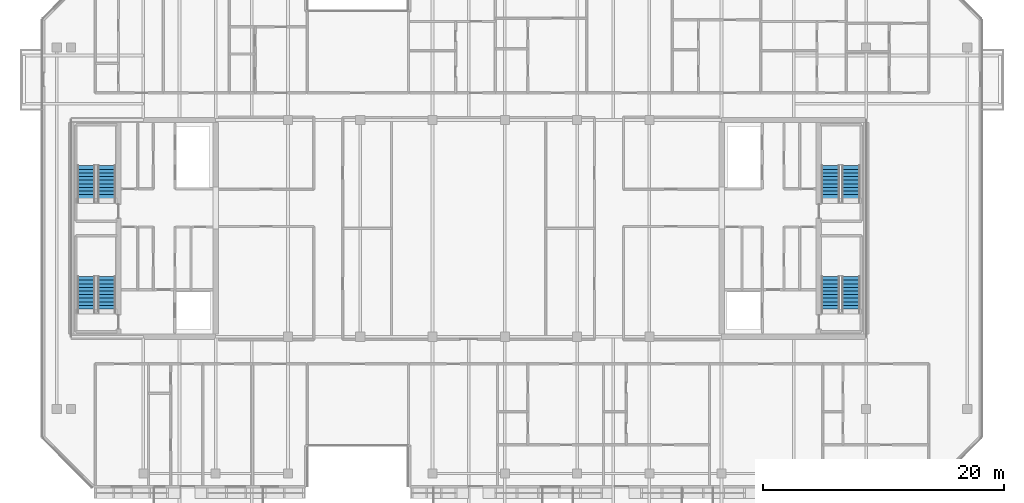
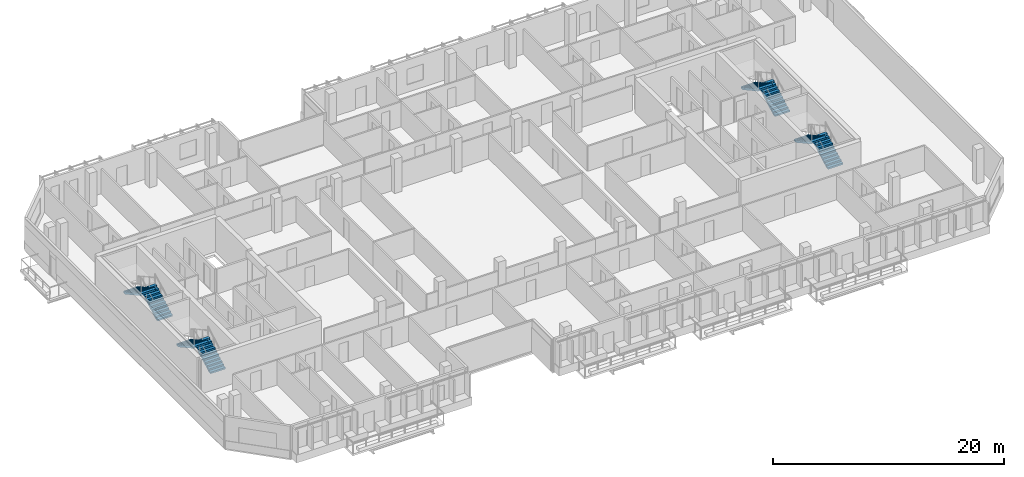
# One storey, part 17 of 23: 8 stair flights, 4 elements without a shape of their own.
"""IFC4 building model written with IfcOpenShell, lengths in metres."""

from ifc_helpers import new_model, si_unit, direction, frame, origin, place, context, subcontext, project, spatial, polyline, outline, extrude, material, type_object, element, aggregate, save


model = new_model("IFC4")

# Units and contexts
model_context = context("Model", 3, precision=1e-05, world=origin(), true_north=direction((0.0, 1.0)))
body_context = subcontext(model_context, "Body", "Model", "MODEL_VIEW")
ifc_project = project(units=[si_unit("LENGTHUNIT", "METRE"), si_unit("AREAUNIT", "SQUARE_METRE"), si_unit("VOLUMEUNIT", "CUBIC_METRE"), si_unit("PLANEANGLEUNIT", "RADIAN"), si_unit("MASSUNIT", "GRAM", prefix="KILO")], contexts=[model_context])

# Site, building, storey
site_placement = place(None, origin())
site = spatial("IfcSite", under=ifc_project, at=site_placement, CompositionType="ELEMENT")
building_placement = place(site_placement, origin())
building = spatial("IfcBuilding", under=site, at=building_placement, Name="Tanjung Sevakor Pilgrim Tower", CompositionType="ELEMENT")
storey_placement = place(building_placement, frame((0.0, 0.0, 215.489990234375)))
storey = spatial("IfcBuildingStorey", under=building, at=storey_placement, Name="L60", CompositionType="ELEMENT", Elevation=215.489990234375)

# Stair, stair flights
ifc_material_1 = material(Name="Concrete C40/50", Category="concrete")
stair_type = type_object("IfcStairType", Name="STAIR-ST-CR150", PredefinedType="HALF_TURN_STAIR", material=ifc_material_1)
stair_1_placement = place(storey_placement, origin())
stair_1 = element("IfcStair", 1, at=stair_1_placement, inside=storey, type_object=stair_type, Name="L60 West Core Exit Stair 1", PredefinedType="HALF_TURN_STAIR")
ifc_material_2 = material(Name="Concrete C40/50", Category="concrete")
stair_flight_type = type_object("IfcStairFlightType", Name="FLIGHT-ST-CR150", PredefinedType="STRAIGHT", material=ifc_material_2)
stair_flight_1_placement = place(storey_placement, frame((26.949951171875, 26.60009765625, 0.0), z_axis=(0.0, 0.0, 1.0), x_axis=(0.0, 1.0, 0.0)))
stair_flight_1 = element("IfcStairFlight", 2, at=stair_flight_1_placement, type_object=stair_flight_type, Name="TS-W1 flight 1", NumberOfRisers=11, NumberOfTreads=10, PredefinedType="STRAIGHT", RiserHeight=0.165, TreadLength=0.3, context=body_context, shape_type="SweptSolid", body=[
    extrude(outline(polyline([(0.0, 0.0), (0.0, 0.1650390625), (0.300048828125, 0.1650390625), (0.300048828125, 0.330078125), (0.60009765625, 0.330078125), (0.60009765625, 0.4951171875), (0.89990234375, 0.4951171875), (0.89990234375, 0.659912109375), (1.199951171875, 0.659912109375), (1.199951171875, 0.824951171875), (1.5, 0.824951171875), (1.5, 0.989990234375), (1.800048828125, 0.989990234375), (1.800048828125, 1.155029296875), (2.10009765625, 1.155029296875), (2.10009765625, 1.320068359375), (2.39990234375, 1.320068359375), (2.39990234375, 1.485107421875), (2.699951171875, 1.485107421875), (2.699951171875, 1.64990234375), (3.0, 1.64990234375), (3.0, 1.81494140625), (3.0, 1.467529296875), (0.331787109375, 0.0), (0.0, 0.0)])), frame((0.0, 0.75, 0.0), z_axis=(0.0, -1.0, 0.0), x_axis=(1.0, 0.0, 0.0)), (0.0, 0.0, 1.0), 1.5),
])
stair_flight_2_placement = place(storey_placement, frame((25.25, 29.60009765625, 1.81494140625), z_axis=(0.0, 0.0, 1.0), x_axis=(0.0, -1.0, 0.0)))
stair_flight_2 = element("IfcStairFlight", 3, at=stair_flight_2_placement, type_object=stair_flight_type, Name="TS-W1 flight 2", NumberOfRisers=11, NumberOfTreads=10, PredefinedType="STRAIGHT", RiserHeight=0.165, TreadLength=0.3, context=body_context, shape_type="SweptSolid", body=[
    extrude(outline(polyline([(0.0, 0.0), (0.0, 0.1650390625), (0.300048828125, 0.1650390625), (0.300048828125, 0.330078125), (0.60009765625, 0.330078125), (0.60009765625, 0.4951171875), (0.89990234375, 0.4951171875), (0.89990234375, 0.659912109375), (1.199951171875, 0.659912109375), (1.199951171875, 0.824951171875), (1.5, 0.824951171875), (1.5, 0.989990234375), (1.800048828125, 0.989990234375), (1.800048828125, 1.155029296875), (2.10009765625, 1.155029296875), (2.10009765625, 1.320068359375), (2.39990234375, 1.320068359375), (2.39990234375, 1.485107421875), (2.699951171875, 1.485107421875), (2.699951171875, 1.64990234375), (3.0, 1.64990234375), (3.0, 1.81494140625), (3.0, 1.467529296875), (0.331787109375, 0.0), (0.0, 0.0)])), frame((0.0, 0.75, 0.0), z_axis=(0.0, -1.0, 0.0), x_axis=(1.0, 0.0, 0.0)), (0.0, 0.0, 1.0), 1.5),
])
aggregate(stair_1, [stair_flight_1, stair_flight_2])

stair_2_placement = place(storey_placement, origin())
stair_2 = element("IfcStair", 4, at=stair_2_placement, inside=storey, type_object=stair_type, Name="L60 West Core Exit Stair 2", PredefinedType="HALF_TURN_STAIR")
stair_flight_3_placement = place(storey_placement, frame((26.949951171875, 35.800048828125, 0.0), z_axis=(0.0, 0.0, 1.0), x_axis=(0.0, 1.0, 0.0)))
stair_flight_3 = element("IfcStairFlight", 5, at=stair_flight_3_placement, type_object=stair_flight_type, Name="TS-W2 flight 1", NumberOfRisers=11, NumberOfTreads=10, PredefinedType="STRAIGHT", RiserHeight=0.165, TreadLength=0.3, context=body_context, shape_type="SweptSolid", body=[
    extrude(outline(polyline([(0.0, 0.0), (0.0, 0.1650390625), (0.300048828125, 0.1650390625), (0.300048828125, 0.330078125), (0.60009765625, 0.330078125), (0.60009765625, 0.4951171875), (0.89990234375, 0.4951171875), (0.89990234375, 0.659912109375), (1.199951171875, 0.659912109375), (1.199951171875, 0.824951171875), (1.5, 0.824951171875), (1.5, 0.989990234375), (1.800048828125, 0.989990234375), (1.800048828125, 1.155029296875), (2.10009765625, 1.155029296875), (2.10009765625, 1.320068359375), (2.39990234375, 1.320068359375), (2.39990234375, 1.485107421875), (2.699951171875, 1.485107421875), (2.699951171875, 1.64990234375), (3.0, 1.64990234375), (3.0, 1.81494140625), (3.0, 1.467529296875), (0.331787109375, 0.0), (0.0, 0.0)])), frame((0.0, 0.75, 0.0), z_axis=(0.0, -1.0, 0.0), x_axis=(1.0, 0.0, 0.0)), (0.0, 0.0, 1.0), 1.5),
])
stair_flight_4_placement = place(storey_placement, frame((25.25, 38.800048828125, 1.81494140625), z_axis=(0.0, 0.0, 1.0), x_axis=(0.0, -1.0, 0.0)))
stair_flight_4 = element("IfcStairFlight", 6, at=stair_flight_4_placement, type_object=stair_flight_type, Name="TS-W2 flight 2", NumberOfRisers=11, NumberOfTreads=10, PredefinedType="STRAIGHT", RiserHeight=0.165, TreadLength=0.3, context=body_context, shape_type="SweptSolid", body=[
    extrude(outline(polyline([(0.0, 0.0), (0.0, 0.1650390625), (0.300048828125, 0.1650390625), (0.300048828125, 0.330078125), (0.60009765625, 0.330078125), (0.60009765625, 0.4951171875), (0.89990234375, 0.4951171875), (0.89990234375, 0.659912109375), (1.199951171875, 0.659912109375), (1.199951171875, 0.824951171875), (1.5, 0.824951171875), (1.5, 0.989990234375), (1.800048828125, 0.989990234375), (1.800048828125, 1.155029296875), (2.10009765625, 1.155029296875), (2.10009765625, 1.320068359375), (2.39990234375, 1.320068359375), (2.39990234375, 1.485107421875), (2.699951171875, 1.485107421875), (2.699951171875, 1.64990234375), (3.0, 1.64990234375), (3.0, 1.81494140625), (3.0, 1.467529296875), (0.331787109375, 0.0), (0.0, 0.0)])), frame((0.0, 0.75, 0.0), z_axis=(0.0, -1.0, 0.0), x_axis=(1.0, 0.0, 0.0)), (0.0, 0.0, 1.0), 1.5),
])
aggregate(stair_2, [stair_flight_3, stair_flight_4])

stair_3_placement = place(storey_placement, origin())
stair_3 = element("IfcStair", 7, at=stair_3_placement, inside=storey, type_object=stair_type, Name="L60 East Core Exit Stair 1", PredefinedType="HALF_TURN_STAIR")
stair_flight_5_placement = place(storey_placement, frame((88.75, 26.60009765625, 0.0), z_axis=(0.0, 0.0, 1.0), x_axis=(0.0, 1.0, 0.0)))
stair_flight_5 = element("IfcStairFlight", 8, at=stair_flight_5_placement, type_object=stair_flight_type, Name="TS-E1 flight 1", NumberOfRisers=11, NumberOfTreads=10, PredefinedType="STRAIGHT", RiserHeight=0.165, TreadLength=0.3, context=body_context, shape_type="SweptSolid", body=[
    extrude(outline(polyline([(0.0, 0.0), (0.0, 0.1650390625), (0.300048828125, 0.1650390625), (0.300048828125, 0.330078125), (0.60009765625, 0.330078125), (0.60009765625, 0.4951171875), (0.89990234375, 0.4951171875), (0.89990234375, 0.659912109375), (1.199951171875, 0.659912109375), (1.199951171875, 0.824951171875), (1.5, 0.824951171875), (1.5, 0.989990234375), (1.800048828125, 0.989990234375), (1.800048828125, 1.155029296875), (2.10009765625, 1.155029296875), (2.10009765625, 1.320068359375), (2.39990234375, 1.320068359375), (2.39990234375, 1.485107421875), (2.699951171875, 1.485107421875), (2.699951171875, 1.64990234375), (3.0, 1.64990234375), (3.0, 1.81494140625), (3.0, 1.467529296875), (0.331787109375, 0.0), (0.0, 0.0)])), frame((0.0, 0.75, 0.0), z_axis=(0.0, -1.0, 0.0), x_axis=(1.0, 0.0, 0.0)), (0.0, 0.0, 1.0), 1.5),
])
stair_flight_6_placement = place(storey_placement, frame((87.050048828125, 29.60009765625, 1.81494140625), z_axis=(0.0, 0.0, 1.0), x_axis=(0.0, -1.0, 0.0)))
stair_flight_6 = element("IfcStairFlight", 9, at=stair_flight_6_placement, type_object=stair_flight_type, Name="TS-E1 flight 2", NumberOfRisers=11, NumberOfTreads=10, PredefinedType="STRAIGHT", RiserHeight=0.165, TreadLength=0.3, context=body_context, shape_type="SweptSolid", body=[
    extrude(outline(polyline([(0.0, 0.0), (0.0, 0.1650390625), (0.300048828125, 0.1650390625), (0.300048828125, 0.330078125), (0.60009765625, 0.330078125), (0.60009765625, 0.4951171875), (0.89990234375, 0.4951171875), (0.89990234375, 0.659912109375), (1.199951171875, 0.659912109375), (1.199951171875, 0.824951171875), (1.5, 0.824951171875), (1.5, 0.989990234375), (1.800048828125, 0.989990234375), (1.800048828125, 1.155029296875), (2.10009765625, 1.155029296875), (2.10009765625, 1.320068359375), (2.39990234375, 1.320068359375), (2.39990234375, 1.485107421875), (2.699951171875, 1.485107421875), (2.699951171875, 1.64990234375), (3.0, 1.64990234375), (3.0, 1.81494140625), (3.0, 1.467529296875), (0.331787109375, 0.0), (0.0, 0.0)])), frame((0.0, 0.75, 0.0), z_axis=(0.0, -1.0, 0.0), x_axis=(1.0, 0.0, 0.0)), (0.0, 0.0, 1.0), 1.5),
])
aggregate(stair_3, [stair_flight_5, stair_flight_6])

stair_4_placement = place(storey_placement, origin())
stair_4 = element("IfcStair", 10, at=stair_4_placement, inside=storey, type_object=stair_type, Name="L60 East Core Exit Stair 2", PredefinedType="HALF_TURN_STAIR")
stair_flight_7_placement = place(storey_placement, frame((88.75, 35.800048828125, 0.0), z_axis=(0.0, 0.0, 1.0), x_axis=(0.0, 1.0, 0.0)))
stair_flight_7 = element("IfcStairFlight", 11, at=stair_flight_7_placement, type_object=stair_flight_type, Name="TS-E2 flight 1", NumberOfRisers=11, NumberOfTreads=10, PredefinedType="STRAIGHT", RiserHeight=0.165, TreadLength=0.3, context=body_context, shape_type="SweptSolid", body=[
    extrude(outline(polyline([(0.0, 0.0), (0.0, 0.1650390625), (0.300048828125, 0.1650390625), (0.300048828125, 0.330078125), (0.60009765625, 0.330078125), (0.60009765625, 0.4951171875), (0.89990234375, 0.4951171875), (0.89990234375, 0.659912109375), (1.199951171875, 0.659912109375), (1.199951171875, 0.824951171875), (1.5, 0.824951171875), (1.5, 0.989990234375), (1.800048828125, 0.989990234375), (1.800048828125, 1.155029296875), (2.10009765625, 1.155029296875), (2.10009765625, 1.320068359375), (2.39990234375, 1.320068359375), (2.39990234375, 1.485107421875), (2.699951171875, 1.485107421875), (2.699951171875, 1.64990234375), (3.0, 1.64990234375), (3.0, 1.81494140625), (3.0, 1.467529296875), (0.331787109375, 0.0), (0.0, 0.0)])), frame((0.0, 0.75, 0.0), z_axis=(0.0, -1.0, 0.0), x_axis=(1.0, 0.0, 0.0)), (0.0, 0.0, 1.0), 1.5),
])
stair_flight_8_placement = place(storey_placement, frame((87.050048828125, 38.800048828125, 1.81494140625), z_axis=(0.0, 0.0, 1.0), x_axis=(0.0, -1.0, 0.0)))
stair_flight_8 = element("IfcStairFlight", 12, at=stair_flight_8_placement, type_object=stair_flight_type, Name="TS-E2 flight 2", NumberOfRisers=11, NumberOfTreads=10, PredefinedType="STRAIGHT", RiserHeight=0.165, TreadLength=0.3, context=body_context, shape_type="SweptSolid", body=[
    extrude(outline(polyline([(0.0, 0.0), (0.0, 0.1650390625), (0.300048828125, 0.1650390625), (0.300048828125, 0.330078125), (0.60009765625, 0.330078125), (0.60009765625, 0.4951171875), (0.89990234375, 0.4951171875), (0.89990234375, 0.659912109375), (1.199951171875, 0.659912109375), (1.199951171875, 0.824951171875), (1.5, 0.824951171875), (1.5, 0.989990234375), (1.800048828125, 0.989990234375), (1.800048828125, 1.155029296875), (2.10009765625, 1.155029296875), (2.10009765625, 1.320068359375), (2.39990234375, 1.320068359375), (2.39990234375, 1.485107421875), (2.699951171875, 1.485107421875), (2.699951171875, 1.64990234375), (3.0, 1.64990234375), (3.0, 1.81494140625), (3.0, 1.467529296875), (0.331787109375, 0.0), (0.0, 0.0)])), frame((0.0, 0.75, 0.0), z_axis=(0.0, -1.0, 0.0), x_axis=(1.0, 0.0, 0.0)), (0.0, 0.0, 1.0), 1.5),
])
aggregate(stair_4, [stair_flight_7, stair_flight_8])

save(model, "model.ifc")
